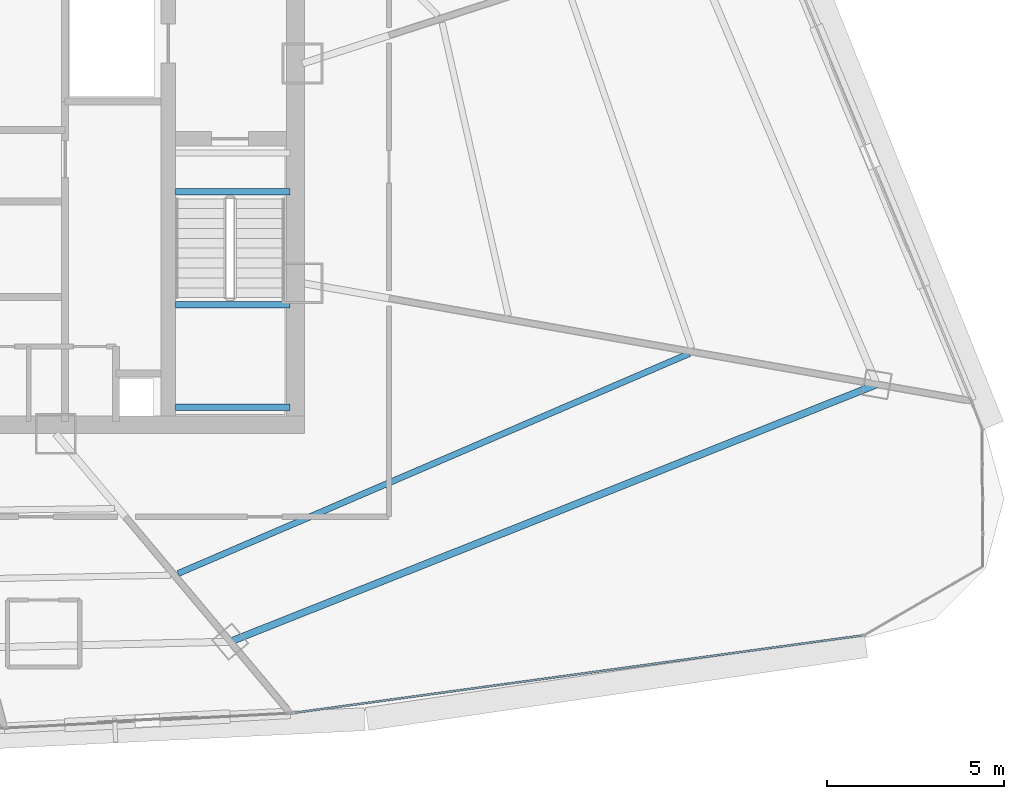
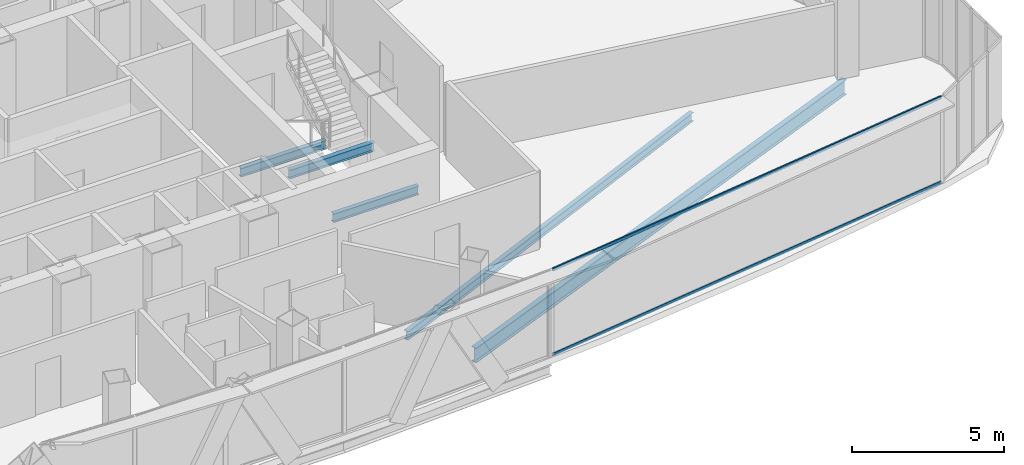
# One storey, part 13 of 40: 5 beams, 2 members, 1 element without a shape of its own.
"""IFC4 building model written with IfcOpenShell, lengths in metres."""

from ifc_helpers import new_model, si_unit, direction, frame, origin, origin_2d, place, context, subcontext, project, spatial, hollow_rectangle, i_section, extrude, source, transform, mapped, material, layer, layer_set, material_profile, profile_set, type_object, element, aggregate, save


model = new_model("IFC4")

# Units and contexts
model_context = context("Model", 3, precision=1e-05, world=origin(), true_north=direction((0.0, 1.0)))
body_context = subcontext(model_context, "Body", "Model", "MODEL_VIEW")
ifc_project = project(units=[si_unit("LENGTHUNIT", "METRE"), si_unit("AREAUNIT", "SQUARE_METRE"), si_unit("VOLUMEUNIT", "CUBIC_METRE"), si_unit("PLANEANGLEUNIT", "RADIAN"), si_unit("MASSUNIT", "GRAM", prefix="KILO"), si_unit("THERMODYNAMICTEMPERATUREUNIT", "KELVIN"), si_unit("POWERUNIT", "WATT")], contexts=[model_context])

# Site, building, storey
site_placement = place(None, origin())
site = spatial("IfcSite", under=ifc_project, at=site_placement, CompositionType="ELEMENT")
building_placement = place(site_placement, origin())
building = spatial("IfcBuilding", under=site, at=building_placement, Name="Yunzhuo Pagoda Commons", CompositionType="ELEMENT")
storey_placement = place(building_placement, frame((0.0, 0.0, 292.47998046875)))
storey = spatial("IfcBuildingStorey", under=building, at=storey_placement, Name="L73", CompositionType="ELEMENT", Elevation=292.47998046875)

# Beams
ifc_material_1 = material(Name="Structural steel Q355B", Category="steel")
ifc_material_profile_1 = material_profile(ifc_material_1, i_section(OverallWidth=0.175048828125, OverallDepth=0.35009765625, WebThickness=0.007080078125, FlangeThickness=0.010986328125, at=origin_2d()), Name="Structural steel Q355B")
ifc_profile_set_1 = profile_set([ifc_material_profile_1], Name="Structural steel Q355B")
beam_type_1 = type_object("IfcBeamType", Name="B-JS2 Joist HN 350x175x7x11", PredefinedType="JOIST", material=ifc_profile_set_1)
shared_shape_1 = source(origin(), body_context, "Body", "SweptSolid", [
    extrude(i_section(OverallWidth=0.175048828125, OverallDepth=0.35009765625, WebThickness=0.007080078125, FlangeThickness=0.010986328125, at=origin_2d()), origin(), (0.0, 0.0, 1.0), 3.25),
])
for number, where, z_axis, x_axis, name in (
    (1, (56.800048828125, 28.0, 1.489990234375), (1.0, 0.0, 0.0), (0.0, 1.0, 0.0), "L73 ST2 landing support beam 79A"),
    (2, (56.800048828125, 30.89990234375, 1.489990234375), (1.0, 0.0, 0.0), (0.0, 1.0, 0.0), "L73 ST2 landing support beam 79B"),
    (3, (56.800048828125, 34.10009765625, -0.374755859375), (1.0, 0.0, 0.0), (0.0, 1.0, 0.0), "L73 ST2 landing support beam 177A"),
):
    element("IfcBeam", number, at=place(storey_placement, frame(where, z_axis=z_axis, x_axis=x_axis)), inside=storey, type_object=beam_type_1, Name=name, PredefinedType="JOIST", context=body_context, shape_type="MappedRepresentation", body=[
        mapped(shared_shape_1, transform((0.0, 0.0, 0.0), scale=1.0)),
    ])
ifc_material_profile_2 = material_profile(ifc_material_1, i_section(OverallWidth=0.199951171875, OverallDepth=0.60009765625, WebThickness=0.010986328125, FlangeThickness=0.01708984375, at=origin_2d()), Name="Structural steel Q355B")
ifc_profile_set_2 = profile_set([ifc_material_profile_2], Name="Structural steel Q355B")
beam_type_2 = type_object("IfcBeamType", Name="B-RG3 Beam HN 600x200x11x17", PredefinedType="BEAM", material=ifc_profile_set_2)
shared_shape_2 = source(origin(), body_context, "Body", "SweptSolid", [
    extrude(i_section(OverallWidth=0.199951171875, OverallDepth=0.60009765625, WebThickness=0.010986328125, FlangeThickness=0.01708984375, at=origin_2d()), origin(), (0.0, 0.0, 1.0), 19.7041015625),
])
beam_1_placement = place(storey_placement, frame((58.353515625, 21.361572265625, -0.56005859375), z_axis=(0.929150216007, 0.369702415592, 0.0), x_axis=(-0.369702415592, 0.929150216007, 0.0)))
element("IfcBeam", 4, at=beam_1_placement, inside=storey, type_object=beam_type_2, Name="L73 column-ring beam 4", PredefinedType="BEAM", context=body_context, shape_type="MappedRepresentation", body=[
    mapped(shared_shape_2, transform((0.0, 0.0, 0.0), scale=1.0)),
])
shared_shape_3 = source(origin(), body_context, "Body", "SweptSolid", [
    extrude(i_section(OverallWidth=0.175048828125, OverallDepth=0.35009765625, WebThickness=0.007080078125, FlangeThickness=0.010986328125, at=origin_2d()), origin(), (0.0, 0.0, 1.0), 15.757080078125),
])
beam_2_placement = place(storey_placement, frame((56.8779296875, 23.291259765625, -0.43505859375), z_axis=(0.918592756952, 0.395205448945, 0.0), x_axis=(-0.395205448945, 0.918592756952, 0.0)))
element("IfcBeam", 5, at=beam_2_placement, inside=storey, type_object=beam_type_1, Name="L73 composite ring joist 2.4", PredefinedType="JOIST", context=body_context, shape_type="MappedRepresentation", body=[
    mapped(shared_shape_3, transform((0.0, 0.0, 0.0), scale=1.0)),
])

# Curtain wall, members
ifc_material_2 = material(Name="Anodized aluminium 6063-T6", Category="aluminium")
ifc_layer = layer(ifc_material_2, 0.139892578125)
ifc_layer_set = layer_set([ifc_layer], Name="Anodized aluminium 6063-T6")
curtain_wall_type = type_object("IfcCurtainWallType", Name="CW-HI High-Zone Ribbon Curtain Wall", PredefinedType="NOTDEFINED", material=ifc_layer_set)
curtain_wall_placement = place(storey_placement, origin())
curtain_wall = element("IfcCurtainWall", 6, at=curtain_wall_placement, inside=storey, type_object=curtain_wall_type, Name="L73 curtain wall CW-L73-F1B5", PredefinedType="NOTDEFINED")
ifc_material_profile_3 = material_profile(ifc_material_2, hollow_rectangle(XDim=0.054931640625, YDim=0.1201171875, WallThickness=0.00341796875, at=origin_2d()), Name="Anodized aluminium 6063-T6")
ifc_profile_set_3 = profile_set([ifc_material_profile_3], Name="Anodized aluminium 6063-T6")
member_type = type_object("IfcMemberType", Name="CW-HI-T Transom RHS 120x55x3.5", PredefinedType="USERDEFINED", material=ifc_profile_set_3)
shared_shape_4 = source(origin(), body_context, "Body", "SweptSolid", [
    extrude(hollow_rectangle(XDim=0.054931640625, YDim=0.1201171875, WallThickness=0.00341796875, at=origin_2d()), origin(), (0.0, 0.0, 1.0), 16.199951171875),
])
member_1_placement = place(storey_placement, frame((60.188720703125, 19.351806640625, 0.027587890625), z_axis=(0.990865990393, 0.134850246879, 0.0), x_axis=(-0.134850246879, 0.990865990393, 0.0)))
member_1 = element("IfcMember", 7, at=member_1_placement, type_object=member_type, Name="CW transom 1.1", ObjectType="TRANSOM", PredefinedType="USERDEFINED", context=body_context, shape_type="MappedRepresentation", body=[
    mapped(shared_shape_4, transform((0.0, 0.0, 0.0), scale=1.0)),
])
member_2_placement = place(storey_placement, frame((60.188720703125, 19.351806640625, 3.442626953125), z_axis=(0.990865990393, 0.134850246879, 0.0), x_axis=(-0.134850246879, 0.990865990393, 0.0)))
member_2 = element("IfcMember", 8, at=member_2_placement, type_object=member_type, Name="CW transom 1.2", ObjectType="TRANSOM", PredefinedType="USERDEFINED", context=body_context, shape_type="MappedRepresentation", body=[
    mapped(shared_shape_4, transform((0.0, 0.0, 0.0), scale=1.0)),
])
aggregate(curtain_wall, [member_1, member_2])

save(model, "model.ifc")
